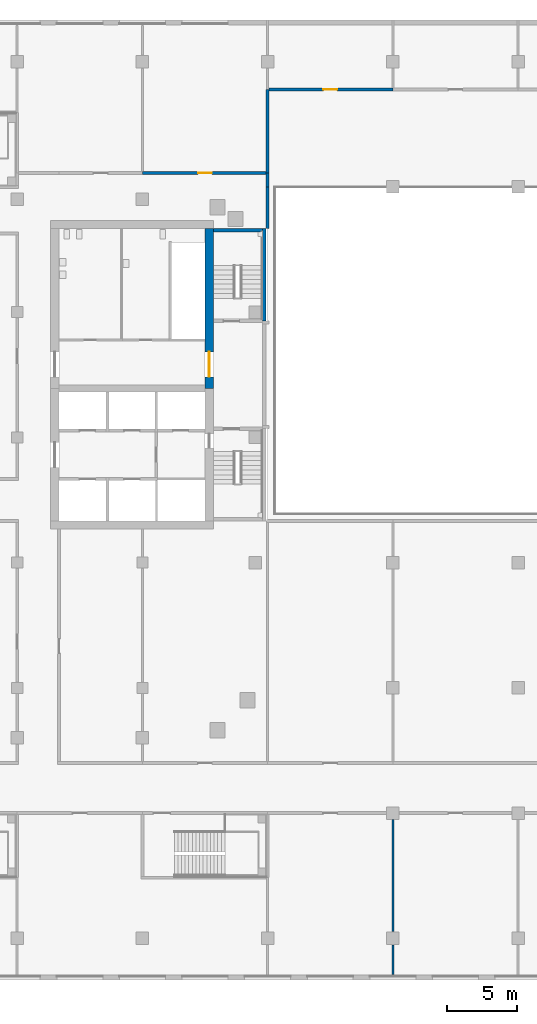
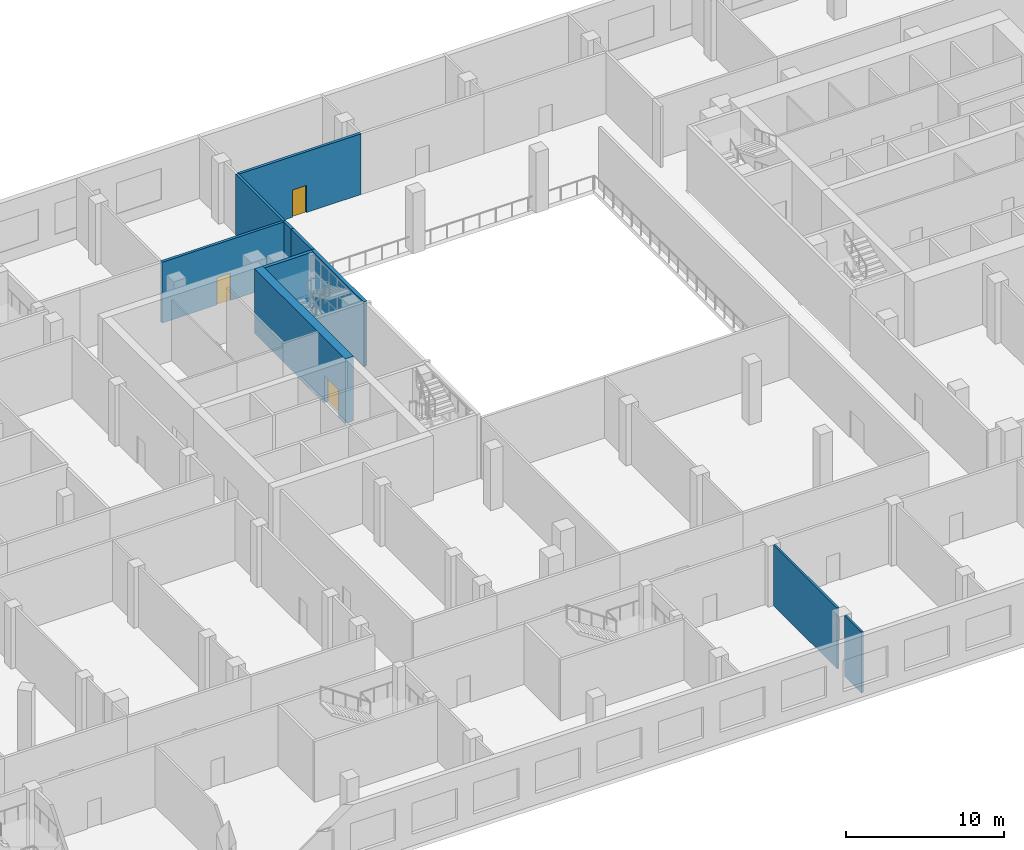
# One storey, part 7 of 21: 10 walls, 3 doors, 3 openings.
"""IFC4 building model written with IfcOpenShell, lengths in metres."""

from ifc_helpers import new_model, si_unit, direction, frame, frame_2d, origin, place, context, subcontext, project, spatial, rectangle, extrude, material, layer, layer_set, type_object, element, fill, save


model = new_model("IFC4")

# Units and contexts
model_context = context("Model", 3, precision=1e-05, world=origin(), true_north=direction((0.0, 1.0)))
body_context = subcontext(model_context, "Body", "Model", "MODEL_VIEW")
ifc_project = project(units=[si_unit("LENGTHUNIT", "METRE"), si_unit("AREAUNIT", "SQUARE_METRE"), si_unit("VOLUMEUNIT", "CUBIC_METRE"), si_unit("PLANEANGLEUNIT", "RADIAN"), si_unit("MASSUNIT", "GRAM", prefix="KILO")], contexts=[model_context])

# Site, building, storey
site_placement = place(None, origin())
site = spatial("IfcSite", under=ifc_project, at=site_placement, CompositionType="ELEMENT")
building_placement = place(site_placement, origin())
building = spatial("IfcBuilding", under=site, at=building_placement, Name="Cinnabar Reach Civic Tower", CompositionType="ELEMENT")
storey_placement = place(building_placement, frame((0.0, 0.0, 16.0)))
storey = spatial("IfcBuildingStorey", under=building, at=storey_placement, Name="L03", CompositionType="ELEMENT", Elevation=16.0)

# Wall, opening, door
ifc_material_1 = material(Name="Concrete C70", Category="concrete")
ifc_layer_1 = layer(ifc_material_1, 0.6)
ifc_layer_set_1 = layer_set([ifc_layer_1], Name="Core wall 600 EI 180")
wall_type_1 = type_object("IfcWallType", Name="Core wall 600 EI 180", PredefinedType="SOLIDWALL", material=ifc_layer_set_1)
wall_1_placement = place(storey_placement, frame((-31.2, 30.5, 0.0), z_axis=(0.0, 0.0, 1.0), x_axis=(0.0, 1.0, 0.0)))
wall_1 = element("IfcWall", 1, at=wall_1_placement, inside=storey, type_object=wall_type_1, Name="Core wall T2 L03 E2", PredefinedType="SOLIDWALL", context=body_context, shape_type="SweptSolid", body=[
    extrude(rectangle(XDim=11.5, YDim=0.6, at=frame_2d((5.75, 0.0))), origin(), (0.0, 0.0, 1.0), 5.0),
])
opening_1_placement = place(wall_1_placement, frame((0.85, 0.0, 0.0)))
opening_1 = element("IfcOpeningElement", 2, at=opening_1_placement, cuts=wall_1, Name="Opening D6072", PredefinedType="OPENING", context=body_context, shape_type="SweptSolid", body=[
    extrude(rectangle(XDim=1.8, YDim=2.1, at=frame_2d((0.9, 1.05))), frame((0.0, 0.31, 0.0), z_axis=(0.0, -1.0, 0.0), x_axis=(1.0, 0.0, 0.0)), (0.0, 0.0, 1.0), 0.62),
])
ifc_material_2 = material(Name="Steel fire door", Category="steel")
door_type_1 = type_object("IfcDoorType", Name="T2 Double door 1800", OperationType="DOUBLE_DOOR_SINGLE_SWING", PredefinedType="DOOR", material=ifc_material_2)
door_1_placement = place(opening_1_placement, origin())
door_1 = element("IfcDoor", 3, at=door_1_placement, inside=storey, type_object=door_type_1, Name="T2 Double door D6072", OperationType="DOUBLE_DOOR_SINGLE_SWING", OverallHeight=2.1, OverallWidth=1.8, PredefinedType="DOOR", context=body_context, shape_type="SweptSolid", body=[
    extrude(rectangle(XDim=1.8, YDim=2.1, at=frame_2d((0.9, 1.05))), frame((0.0, 0.025, 0.0), z_axis=(0.0, -1.0, 0.0), x_axis=(1.0, 0.0, 0.0)), (0.0, 0.0, 1.0), 0.05),
])
fill(opening_1, door_1)

# Walls
ifc_material_3 = material(Name="Concrete blockwork", Category="masonry")
ifc_layer_2 = layer(ifc_material_3, 0.2)
ifc_layer_set_2 = layer_set([ifc_layer_2], Name="Podium masonry corridor wall 200 EI 120")
wall_type_2 = type_object("IfcWallType", Name="Podium masonry corridor wall 200 EI 120", PredefinedType="PARTITIONING", material=ifc_layer_set_2)
wall_2_placement = place(storey_placement, frame((-27.0, 42.0, 0.0), z_axis=(0.0, 0.0, 1.0), x_axis=(0.0, 1.0, 0.0)))
element("IfcWall", 4, at=wall_2_placement, inside=storey, type_object=wall_type_2, Name="Wall L03 90", PredefinedType="PARTITIONING", context=body_context, shape_type="SweptSolid", body=[
    extrude(rectangle(XDim=3.0, YDim=0.2, at=frame_2d((1.5, 0.0))), origin(), (0.0, 0.0, 1.0), 4.7),
])
wall_3_placement = place(storey_placement, frame((-27.0, 45.0, 0.0), z_axis=(0.0, 0.0, 1.0), x_axis=(0.0, 1.0, 0.0)))
element("IfcWall", 5, at=wall_3_placement, inside=storey, type_object=wall_type_2, Name="Wall L03 91", PredefinedType="PARTITIONING", context=body_context, shape_type="SweptSolid", body=[
    extrude(rectangle(XDim=1.0, YDim=0.2, at=frame_2d((0.5, 0.0))), origin(), (0.0, 0.0, 1.0), 4.7),
])

# Wall, opening, door
wall_4_placement = place(storey_placement, frame((-36.0, 46.0, 0.0), z_axis=(0.0, 0.0, 1.0), x_axis=(1.0, 0.0, 0.0)))
wall_4 = element("IfcWall", 6, at=wall_4_placement, inside=storey, type_object=wall_type_2, Name="Wall L03 93", PredefinedType="PARTITIONING", context=body_context, shape_type="SweptSolid", body=[
    extrude(rectangle(XDim=8.9, YDim=0.2, at=frame_2d((4.45, 0.0))), origin(), (0.0, 0.0, 1.0), 4.7),
])
opening_2_placement = place(wall_4_placement, frame((4.0, 0.0, 0.0)))
opening_2 = element("IfcOpeningElement", 7, at=opening_2_placement, cuts=wall_4, Name="Opening D1207", PredefinedType="OPENING", context=body_context, shape_type="SweptSolid", body=[
    extrude(rectangle(XDim=1.0, YDim=2.1, at=frame_2d((0.5, 1.05))), frame((0.0, 0.11, 0.0), z_axis=(0.0, -1.0, 0.0), x_axis=(1.0, 0.0, 0.0)), (0.0, 0.0, 1.0), 0.22),
])
ifc_material_4 = material(Name="Painted steel door leaf", Category="steel")
door_type_2 = type_object("IfcDoorType", Name="Podium single door 1000x2100", OperationType="SINGLE_SWING_LEFT", PredefinedType="DOOR", material=ifc_material_4)
door_2_placement = place(opening_2_placement, origin())
door_2 = element("IfcDoor", 8, at=door_2_placement, inside=storey, type_object=door_type_2, Name="Door D1207", OperationType="SINGLE_SWING_LEFT", OverallHeight=2.1, OverallWidth=1.0, PredefinedType="DOOR", context=body_context, shape_type="SweptSolid", body=[
    extrude(rectangle(XDim=1.0, YDim=2.1, at=frame_2d((0.5, 1.05))), frame((0.0, 0.025, 0.0), z_axis=(0.0, -1.0, 0.0), x_axis=(1.0, 0.0, 0.0)), (0.0, 0.0, 1.0), 0.05),
])
fill(opening_2, door_2)

wall_5_placement = place(storey_placement, frame((-26.9, 52.0, 0.0), z_axis=(0.0, 0.0, 1.0), x_axis=(1.0, 0.0, 0.0)))
wall_5 = element("IfcWall", 9, at=wall_5_placement, inside=storey, type_object=wall_type_2, Name="Wall L03 131", PredefinedType="PARTITIONING", context=body_context, shape_type="SweptSolid", body=[
    extrude(rectangle(XDim=8.9, YDim=0.2, at=frame_2d((4.45, 0.0))), origin(), (0.0, 0.0, 1.0), 4.7),
])
opening_3_placement = place(wall_5_placement, frame((3.9, 0.0, 0.0)))
opening_3 = element("IfcOpeningElement", 10, at=opening_3_placement, cuts=wall_5, Name="Opening D1162", PredefinedType="OPENING", context=body_context, shape_type="SweptSolid", body=[
    extrude(rectangle(XDim=1.0, YDim=2.1, at=frame_2d((0.5, 1.05))), frame((0.0, 0.11, 0.0), z_axis=(0.0, -1.0, 0.0), x_axis=(1.0, 0.0, 0.0)), (0.0, 0.0, 1.0), 0.22),
])
door_3_placement = place(opening_3_placement, origin())
door_3 = element("IfcDoor", 11, at=door_3_placement, inside=storey, type_object=door_type_2, Name="Door D1162", OperationType="SINGLE_SWING_RIGHT", OverallHeight=2.1, OverallWidth=1.0, PredefinedType="DOOR", context=body_context, shape_type="SweptSolid", body=[
    extrude(rectangle(XDim=1.0, YDim=2.1, at=frame_2d((0.5, 1.05))), frame((0.0, 0.025, 0.0), z_axis=(0.0, -1.0, 0.0), x_axis=(1.0, 0.0, 0.0)), (0.0, 0.0, 1.0), 0.05),
])
fill(opening_3, door_3)

# Walls
wall_6_placement = place(storey_placement, frame((-27.0, 46.0, 0.0), z_axis=(0.0, 0.0, 1.0), x_axis=(0.0, 1.0, 0.0)))
element("IfcWall", 12, at=wall_6_placement, inside=storey, type_object=wall_type_2, Name="Wall L03 134", PredefinedType="PARTITIONING", context=body_context, shape_type="SweptSolid", body=[
    extrude(rectangle(XDim=6.0, YDim=0.2, at=frame_2d((3.0, 0.0))), origin(), (0.0, 0.0, 1.0), 4.7),
])
ifc_material_5 = material(Name="Gypsum board on steel studs", Category="steel")
ifc_layer_3 = layer(ifc_material_5, 0.15)
ifc_layer_set_3 = layer_set([ifc_layer_3], Name="Podium partition wall 150 EI 90")
wall_type_3 = type_object("IfcWallType", Name="Podium partition wall 150 EI 90", PredefinedType="PARTITIONING", material=ifc_layer_set_3)
wall_7_placement = place(storey_placement, frame((-18.0, -11.6, 0.0), z_axis=(0.0, 0.0, 1.0), x_axis=(0.0, 1.0, 0.0)))
element("IfcWall", 13, at=wall_7_placement, inside=storey, type_object=wall_type_3, Name="Wall L03 148", PredefinedType="PARTITIONING", context=body_context, shape_type="SweptSolid", body=[
    extrude(rectangle(XDim=2.13, YDim=0.15, at=frame_2d((1.065, 0.0))), origin(), (0.0, 0.0, 1.0), 4.7),
])
wall_8_placement = place(storey_placement, frame((-18.0, -8.53, 0.0), z_axis=(0.0, 0.0, 1.0), x_axis=(0.0, 1.0, 0.0)))
element("IfcWall", 14, at=wall_8_placement, inside=storey, type_object=wall_type_3, Name="Wall L03 149", PredefinedType="PARTITIONING", context=body_context, shape_type="SweptSolid", body=[
    extrude(rectangle(XDim=8.06, YDim=0.15, at=frame_2d((4.03, 0.0))), origin(), (0.0, 0.0, 1.0), 4.7),
])
ifc_material_6 = material(Name="Concrete C60", Category="concrete")
ifc_layer_4 = layer(ifc_material_6, 0.25)
ifc_layer_set_4 = layer_set([ifc_layer_4], Name="Stair shaft wall 250 EI 120")
wall_type_4 = type_object("IfcWallType", Name="Stair shaft wall 250 EI 120", PredefinedType="SOLIDWALL", material=ifc_layer_set_4)
wall_9_placement = place(storey_placement, frame((-27.36, 41.875, 0.0), z_axis=(0.0, 0.0, 1.0), x_axis=(-1.0, 0.0, 0.0)))
element("IfcWall", 15, at=wall_9_placement, inside=storey, type_object=wall_type_4, Name="Stair shaft wall T2-S2 L03", PredefinedType="SOLIDWALL", context=body_context, shape_type="SweptSolid", body=[
    extrude(rectangle(XDim=3.54, YDim=0.25, at=frame_2d((1.77, 0.0))), origin(), (0.0, 0.0, 1.0), 5.0),
])
wall_10_placement = place(storey_placement, frame((-27.235, 35.35, 0.0), z_axis=(0.0, 0.0, 1.0), x_axis=(0.0, 1.0, 0.0)))
element("IfcWall", 16, at=wall_10_placement, inside=storey, type_object=wall_type_4, Name="Stair shaft wall T2-STRIP L03", PredefinedType="SOLIDWALL", context=body_context, shape_type="SweptSolid", body=[
    extrude(rectangle(XDim=6.65, YDim=0.25, at=frame_2d((3.325, 0.0))), origin(), (0.0, 0.0, 1.0), 5.0),
])

save(model, "model.ifc")
